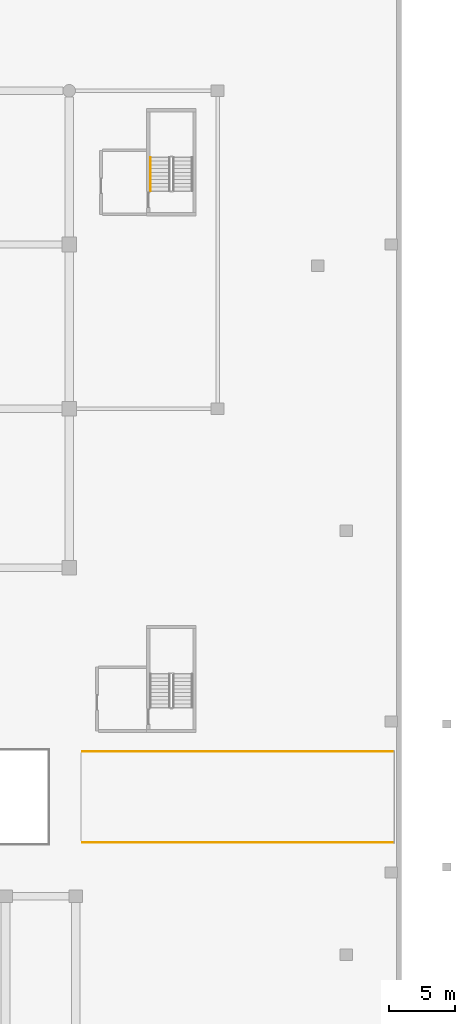
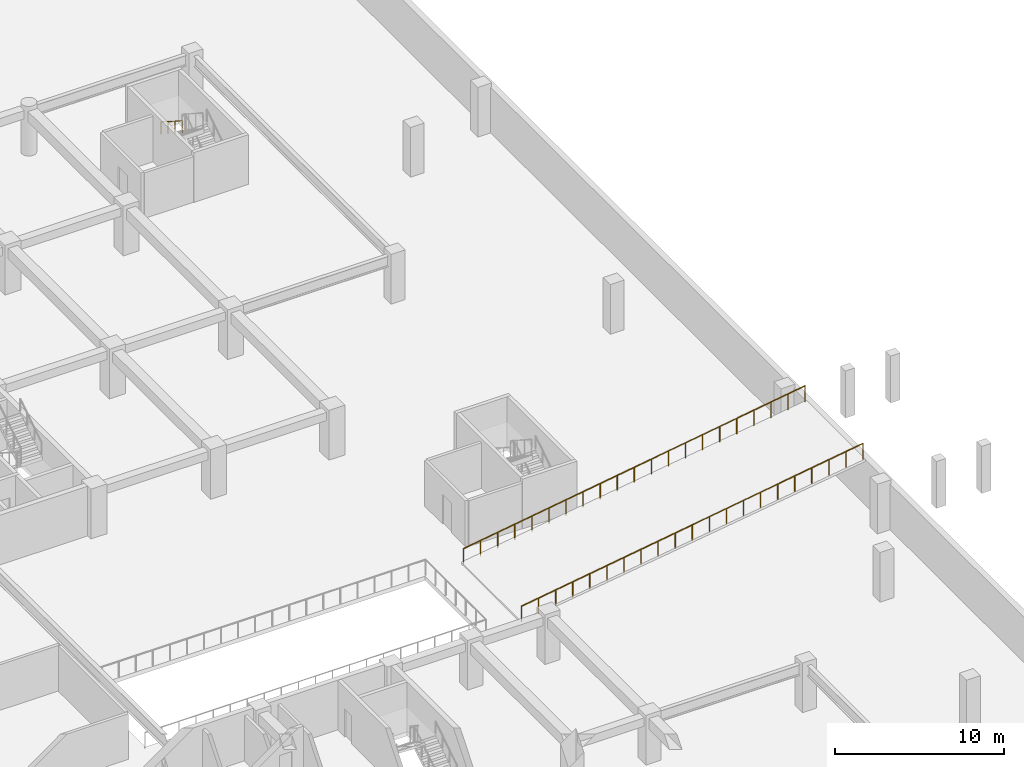
# One storey, part 22 of 23: 3 railings.
"""IFC4 building model written with IfcOpenShell, lengths in metres."""

from ifc_helpers import new_model, si_unit, direction, frame, origin, origin_2d, place, context, subcontext, project, spatial, circle, extrude, material, type_object, element, save


model = new_model("IFC4")

# Units and contexts
model_context = context("Model", 3, precision=1e-05, world=origin(), true_north=direction((0.0, 1.0)))
body_context = subcontext(model_context, "Body", "Model", "MODEL_VIEW")
ifc_project = project(units=[si_unit("LENGTHUNIT", "METRE"), si_unit("AREAUNIT", "SQUARE_METRE"), si_unit("VOLUMEUNIT", "CUBIC_METRE"), si_unit("PLANEANGLEUNIT", "RADIAN"), si_unit("MASSUNIT", "GRAM", prefix="KILO")], contexts=[model_context])

# Site, building, storey
site_placement = place(None, origin())
site = spatial("IfcSite", under=ifc_project, at=site_placement, CompositionType="ELEMENT")
building_placement = place(site_placement, origin())
building = spatial("IfcBuilding", under=site, at=building_placement, Name="Korimba Cascade Residences", CompositionType="ELEMENT")
storey_placement = place(building_placement, frame((0.0, 0.0, -3.60009765625)))
storey = spatial("IfcBuildingStorey", under=building, at=storey_placement, Name="B01", CompositionType="ELEMENT", Elevation=-3.60009765625)

# Railings
ifc_material_1 = material(Name="Brushed Stainless Steel Handrail", Category="steel")
railing_type_1 = type_object("IfcRailingType", Name="RLG-ST-HR900", PredefinedType="HANDRAIL", material=ifc_material_1)
railing_1_placement = place(storey_placement, frame((134.550048828125, 86.169921875, 2.163818359375)))
element("IfcRailing", 1, at=railing_1_placement, inside=storey, type_object=railing_type_1, Name="B01 ST-P4 stair handrail 2", PredefinedType="HANDRAIL", context=body_context, shape_type="SweptSolid", body=[
    extrude(circle(Radius=0.02392578125, at=origin_2d()), frame((0.0, 0.0, 0.8759765625), z_axis=(0.0, -0.841162588446, 0.540782303519), x_axis=(1.0, 0.0, 0.0)), (0.0, 0.0, 1.0), 2.995849609375),
    extrude(circle(Radius=0.02099609375, at=origin_2d()), origin(), (0.0, 0.0, 1.0), 0.851806640625),
    extrude(circle(Radius=0.02099609375, at=origin_2d()), frame((0.0, -0.840087890625, 0.5400390625)), (0.0, 0.0, 1.0), 0.851806640625),
    extrude(circle(Radius=0.02099609375, at=origin_2d()), frame((0.0, -1.679931640625, 1.080078125)), (0.0, 0.0, 1.0), 0.851806640625),
    extrude(circle(Radius=0.02099609375, at=origin_2d()), frame((0.0, -2.52001953125, 1.6201171875)), (0.0, 0.0, 1.0), 0.851806640625),
])
ifc_material_2 = material(Name="Painted Galvanised Steel Terrace Guardrail", Category="steel")
railing_type_2 = type_object("IfcRailingType", Name="RLG-TER-1150", PredefinedType="GUARDRAIL", material=ifc_material_2)
railing_2_placement = place(storey_placement, frame((129.39990234375, 34.4599609375, 0.0)))
element("IfcRailing", 2, at=railing_2_placement, inside=storey, type_object=railing_type_2, Name="B01 Vehicle Ramp S Guardrail", PredefinedType="GUARDRAIL", context=body_context, shape_type="SweptSolid", body=[
    extrude(circle(Radius=0.02392578125, at=origin_2d()), frame((0.0, 0.0, 1.1259765625), z_axis=(0.988371220792, 0.0, 0.152060283804), x_axis=(0.0, 1.0, 0.0)), (0.0, 0.0, 1.0), 23.675537109375),
    extrude(circle(Radius=0.02099609375, at=origin_2d()), origin(), (0.0, 0.0, 1.0), 1.101806640625),
    extrude(circle(Radius=0.02099609375, at=origin_2d()), frame((1.169921875, 0.0, 0.179931640625)), (0.0, 0.0, 1.0), 1.101806640625),
    extrude(circle(Radius=0.02099609375, at=origin_2d()), frame((2.340087890625, 0.0, 0.360107421875)), (0.0, 0.0, 1.0), 1.101806640625),
    extrude(circle(Radius=0.02099609375, at=origin_2d()), frame((3.510009765625, 0.0, 0.5400390625)), (0.0, 0.0, 1.0), 1.101806640625),
    extrude(circle(Radius=0.02099609375, at=origin_2d()), frame((4.679931640625, 0.0, 0.719970703125)), (0.0, 0.0, 1.0), 1.101806640625),
    extrude(circle(Radius=0.02099609375, at=origin_2d()), frame((5.85009765625, 0.0, 0.89990234375)), (0.0, 0.0, 1.0), 1.101806640625),
    extrude(circle(Radius=0.02099609375, at=origin_2d()), frame((7.02001953125, 0.0, 1.080078125)), (0.0, 0.0, 1.0), 1.101806640625),
    extrude(circle(Radius=0.02099609375, at=origin_2d()), frame((8.18994140625, 0.0, 1.260009765625)), (0.0, 0.0, 1.0), 1.101806640625),
    extrude(circle(Radius=0.02099609375, at=origin_2d()), frame((9.360107421875, 0.0, 1.43994140625)), (0.0, 0.0, 1.0), 1.101806640625),
    extrude(circle(Radius=0.02099609375, at=origin_2d()), frame((10.530029296875, 0.0, 1.6201171875)), (0.0, 0.0, 1.0), 1.101806640625),
    extrude(circle(Radius=0.02099609375, at=origin_2d()), frame((11.7001953125, 0.0, 1.800048828125)), (0.0, 0.0, 1.0), 1.101806640625),
    extrude(circle(Radius=0.02099609375, at=origin_2d()), frame((12.8701171875, 0.0, 1.97998046875)), (0.0, 0.0, 1.0), 1.101806640625),
    extrude(circle(Radius=0.02099609375, at=origin_2d()), frame((14.0400390625, 0.0, 2.16015625)), (0.0, 0.0, 1.0), 1.101806640625),
    extrude(circle(Radius=0.02099609375, at=origin_2d()), frame((15.210205078125, 0.0, 2.340087890625)), (0.0, 0.0, 1.0), 1.101806640625),
    extrude(circle(Radius=0.02099609375, at=origin_2d()), frame((16.380126953125, 0.0, 2.52001953125)), (0.0, 0.0, 1.0), 1.101806640625),
    extrude(circle(Radius=0.02099609375, at=origin_2d()), frame((17.550048828125, 0.0, 2.7001953125)), (0.0, 0.0, 1.0), 1.101806640625),
    extrude(circle(Radius=0.02099609375, at=origin_2d()), frame((18.72021484375, 0.0, 2.880126953125)), (0.0, 0.0, 1.0), 1.101806640625),
    extrude(circle(Radius=0.02099609375, at=origin_2d()), frame((19.89013671875, 0.0, 3.06005859375)), (0.0, 0.0, 1.0), 1.101806640625),
    extrude(circle(Radius=0.02099609375, at=origin_2d()), frame((21.06005859375, 0.0, 3.239990234375)), (0.0, 0.0, 1.0), 1.101806640625),
    extrude(circle(Radius=0.02099609375, at=origin_2d()), frame((22.230224609375, 0.0, 3.420166015625)), (0.0, 0.0, 1.0), 1.101806640625),
    extrude(circle(Radius=0.02099609375, at=origin_2d()), frame((23.400146484375, 0.0, 3.60009765625)), (0.0, 0.0, 1.0), 1.101806640625),
])
railing_3_placement = place(storey_placement, frame((129.39990234375, 41.340087890625, 0.0)))
element("IfcRailing", 3, at=railing_3_placement, inside=storey, type_object=railing_type_2, Name="B01 Vehicle Ramp N Guardrail", PredefinedType="GUARDRAIL", context=body_context, shape_type="SweptSolid", body=[
    extrude(circle(Radius=0.02392578125, at=origin_2d()), frame((0.0, 0.0, 1.1259765625), z_axis=(0.988371220792, 0.0, 0.152060283804), x_axis=(0.0, 1.0, 0.0)), (0.0, 0.0, 1.0), 23.675537109375),
    extrude(circle(Radius=0.02099609375, at=origin_2d()), origin(), (0.0, 0.0, 1.0), 1.101806640625),
    extrude(circle(Radius=0.02099609375, at=origin_2d()), frame((1.169921875, 0.0, 0.179931640625)), (0.0, 0.0, 1.0), 1.101806640625),
    extrude(circle(Radius=0.02099609375, at=origin_2d()), frame((2.340087890625, 0.0, 0.360107421875)), (0.0, 0.0, 1.0), 1.101806640625),
    extrude(circle(Radius=0.02099609375, at=origin_2d()), frame((3.510009765625, 0.0, 0.5400390625)), (0.0, 0.0, 1.0), 1.101806640625),
    extrude(circle(Radius=0.02099609375, at=origin_2d()), frame((4.679931640625, 0.0, 0.719970703125)), (0.0, 0.0, 1.0), 1.101806640625),
    extrude(circle(Radius=0.02099609375, at=origin_2d()), frame((5.85009765625, 0.0, 0.89990234375)), (0.0, 0.0, 1.0), 1.101806640625),
    extrude(circle(Radius=0.02099609375, at=origin_2d()), frame((7.02001953125, 0.0, 1.080078125)), (0.0, 0.0, 1.0), 1.101806640625),
    extrude(circle(Radius=0.02099609375, at=origin_2d()), frame((8.18994140625, 0.0, 1.260009765625)), (0.0, 0.0, 1.0), 1.101806640625),
    extrude(circle(Radius=0.02099609375, at=origin_2d()), frame((9.360107421875, 0.0, 1.43994140625)), (0.0, 0.0, 1.0), 1.101806640625),
    extrude(circle(Radius=0.02099609375, at=origin_2d()), frame((10.530029296875, 0.0, 1.6201171875)), (0.0, 0.0, 1.0), 1.101806640625),
    extrude(circle(Radius=0.02099609375, at=origin_2d()), frame((11.7001953125, 0.0, 1.800048828125)), (0.0, 0.0, 1.0), 1.101806640625),
    extrude(circle(Radius=0.02099609375, at=origin_2d()), frame((12.8701171875, 0.0, 1.97998046875)), (0.0, 0.0, 1.0), 1.101806640625),
    extrude(circle(Radius=0.02099609375, at=origin_2d()), frame((14.0400390625, 0.0, 2.16015625)), (0.0, 0.0, 1.0), 1.101806640625),
    extrude(circle(Radius=0.02099609375, at=origin_2d()), frame((15.210205078125, 0.0, 2.340087890625)), (0.0, 0.0, 1.0), 1.101806640625),
    extrude(circle(Radius=0.02099609375, at=origin_2d()), frame((16.380126953125, 0.0, 2.52001953125)), (0.0, 0.0, 1.0), 1.101806640625),
    extrude(circle(Radius=0.02099609375, at=origin_2d()), frame((17.550048828125, 0.0, 2.7001953125)), (0.0, 0.0, 1.0), 1.101806640625),
    extrude(circle(Radius=0.02099609375, at=origin_2d()), frame((18.72021484375, 0.0, 2.880126953125)), (0.0, 0.0, 1.0), 1.101806640625),
    extrude(circle(Radius=0.02099609375, at=origin_2d()), frame((19.89013671875, 0.0, 3.06005859375)), (0.0, 0.0, 1.0), 1.101806640625),
    extrude(circle(Radius=0.02099609375, at=origin_2d()), frame((21.06005859375, 0.0, 3.239990234375)), (0.0, 0.0, 1.0), 1.101806640625),
    extrude(circle(Radius=0.02099609375, at=origin_2d()), frame((22.230224609375, 0.0, 3.420166015625)), (0.0, 0.0, 1.0), 1.101806640625),
    extrude(circle(Radius=0.02099609375, at=origin_2d()), frame((23.400146484375, 0.0, 3.60009765625)), (0.0, 0.0, 1.0), 1.101806640625),
])

save(model, "model.ifc")
